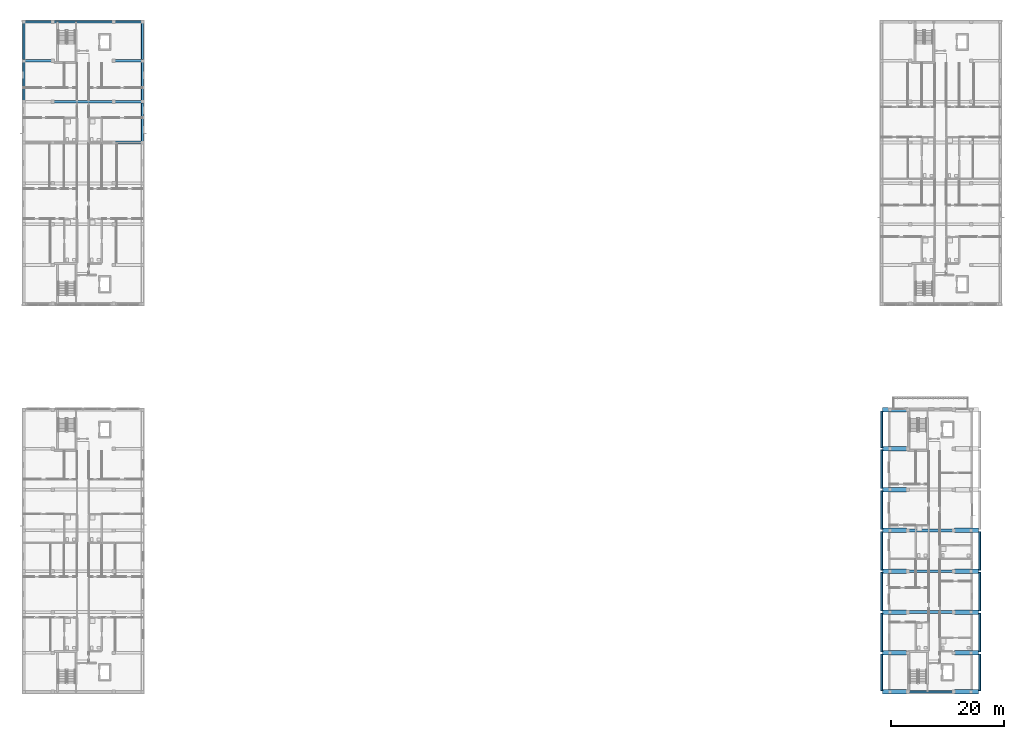
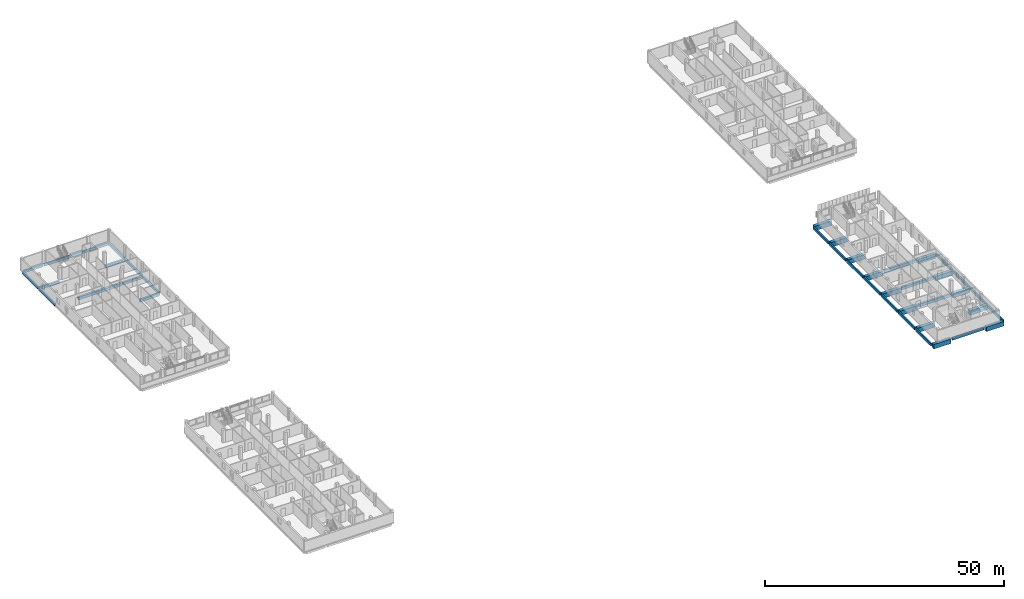
# One storey, part 6 of 38: 41 beams.
"""IFC4 building model written with IfcOpenShell, lengths in metres."""

import ifcopenshell
import ifcopenshell.guid

model = None  # the IFC model being written
_history = None  # IfcOwnerHistory: only IFC2X3 demands one
_inside = {}  # id of a spatial element -> (the spatial element, [elements in it])
_under = {}  # id of a project, library or spatial element -> (it, [spatial elements below it])
_declared = {}  # id of a project -> (the project, [libraries it declares])
_typed = {}  # id of a type object -> (the type object, [elements of that type])
_made_of = {}  # id of a material, layer set ... -> (it, [elements and type objects made of it])


def new_model(schema):
    """Start an empty IFC model of exactly this schema.

    Asked for "IFC4X3", IfcOpenShell would pick the latest addendum, in which some entities
    have other attributes; the version numbers below select the first issue.
    IFC2X3 requires an IfcOwnerHistory on every rooted entity: one is made here for all.
    """
    global model, _history
    if schema == "IFC4X3":
        model = ifcopenshell.file(schema_version=(4, 3, 0, 0))
    else:
        model = ifcopenshell.file(schema=schema)
    _inside.clear()
    _under.clear()
    _declared.clear()
    _typed.clear()
    _made_of.clear()
    _history = None
    if model.schema == "IFC2X3":
        org = make("IfcOrganization", Name="unknown")
        user = make(
            "IfcPersonAndOrganization",
            ThePerson=make("IfcPerson", FamilyName="unknown"),
            TheOrganization=org,
        )
        app = make(
            "IfcApplication",
            ApplicationDeveloper=org,
            Version="unknown",
            ApplicationFullName="unknown",
            ApplicationIdentifier="unknown",
        )
        _history = make(
            "IfcOwnerHistory",
            OwningUser=user,
            OwningApplication=app,
            ChangeAction="ADDED",
            CreationDate=0,
        )
    return model


def make(cls, **values):
    """One entity of the class cls with the attributes given. An attribute that is None is left unset."""
    return model.create_entity(
        cls, **{name: value for name, value in values.items() if value is not None}
    )


def rooted(cls, **values):
    """An entity with a GlobalId (a new one), such as an element, a storey or a relation."""
    return make(cls, GlobalId=ifcopenshell.guid.new(), OwnerHistory=_history, **values)


def si_unit(unit_type, name, prefix=None):
    """IfcSIUnit, for example si_unit("LENGTHUNIT", "METRE", prefix="MILLI")."""
    return make("IfcSIUnit", UnitType=unit_type, Prefix=prefix, Name=name)


def derived_unit(unit_type, elements):
    """IfcDerivedUnit: a product of units, each with its exponent."""
    return make(
        "IfcDerivedUnit",
        Elements=[
            make("IfcDerivedUnitElement", Unit=unit, Exponent=power)
            for unit, power in elements
        ],
        UnitType=unit_type,
    )


def assignment(units):
    """IfcUnitAssignment: the units of a project."""
    return None if units is None else make("IfcUnitAssignment", Units=units)


def point(xyz):
    """IfcCartesianPoint."""
    return None if xyz is None else make("IfcCartesianPoint", Coordinates=xyz)


def direction(xyz):
    """IfcDirection."""
    return None if xyz is None else make("IfcDirection", DirectionRatios=xyz)


def frame(location, z_axis=None, x_axis=None):
    """IfcAxis2Placement3D, a coordinate frame: its origin and axes. An axis left out is left unset."""
    return make(
        "IfcAxis2Placement3D",
        Location=point(location),
        Axis=direction(z_axis),
        RefDirection=direction(x_axis),
    )


def frame_2d(location, x_axis=None):
    """IfcAxis2Placement2D, a coordinate frame in the plane: its origin and x axis."""
    return make(
        "IfcAxis2Placement2D", Location=point(location), RefDirection=direction(x_axis)
    )


def origin():
    """The frame at (0, 0, 0) with its axes left unset."""
    return frame((0.0, 0.0, 0.0))


def origin_2d():
    """The frame at (0, 0) in the plane with its x axis left unset."""
    return frame_2d((0.0, 0.0))


def place(relative_to, where):
    """IfcLocalPlacement: puts the frame where relative to a parent placement (None: the world)."""
    return make(
        "IfcLocalPlacement", PlacementRelTo=relative_to, RelativePlacement=where
    )


def context(
    kind, dimensions, precision=None, world=None, true_north=None, identifier=None
):
    """IfcGeometricRepresentationContext, for example the 3D "Model" context."""
    return make(
        "IfcGeometricRepresentationContext",
        ContextIdentifier=identifier,
        ContextType=kind,
        CoordinateSpaceDimension=dimensions,
        Precision=precision,
        WorldCoordinateSystem=world,
        TrueNorth=true_north,
    )


def subcontext(parent, identifier, kind, view, scale=None):
    """IfcGeometricRepresentationSubContext, for example "Body" below "Model"."""
    return make(
        "IfcGeometricRepresentationSubContext",
        ContextIdentifier=identifier,
        ContextType=kind,
        ParentContext=parent,
        TargetScale=scale,
        TargetView=view,
    )


def project(units=None, contexts=None):
    """IfcProject with its units and contexts."""
    return rooted(
        "IfcProject",
        Name="project",
        RepresentationContexts=contexts,
        UnitsInContext=assignment(units),
    )


def spatial(cls, under=None, at=None, **own):
    """A site, building, storey or space (cls), placed at a placement, below another one or the project."""
    s = rooted(cls, ObjectPlacement=at, **own)
    if under is not None:
        _under.setdefault(under.id(), (under, []))[1].append(s)
    return s


def profile(cls, at=None, kind="AREA", **sizes):
    """A parametric profile (cls). Its sizes go by their IFC names, for example OverallWidth=200.0."""
    return make(cls, ProfileType=kind, Position=at, **sizes)


def rectangle(**sizes):
    """IfcRectangleProfileDef."""
    return profile("IfcRectangleProfileDef", **sizes)


def extrude(swept, where, along, depth):
    """IfcExtrudedAreaSolid: the profile swept, set in the frame where, extruded along a direction by depth."""
    return make(
        "IfcExtrudedAreaSolid",
        SweptArea=swept,
        Position=where,
        ExtrudedDirection=direction(along),
        Depth=depth,
    )


def shape(context_of_items, identifier, shape_type, items):
    """IfcShapeRepresentation: the items that make up one representation, for example the "Body"."""
    return make(
        "IfcShapeRepresentation",
        ContextOfItems=context_of_items,
        RepresentationIdentifier=identifier,
        RepresentationType=shape_type,
        Items=items,
    )


def material(Name=None, Category=None):
    """IfcMaterial."""
    return make("IfcMaterial", Name=Name, Category=Category)


def material_profile(
    of_material, cross_section, Name=None, Category=None, Priority=None
):
    """IfcMaterialProfile: a cross section and its material."""
    return make(
        "IfcMaterialProfile",
        Name=Name,
        Material=of_material,
        Profile=cross_section,
        Priority=Priority,
        Category=Category,
    )


def profile_set(profiles, Name=None, composite=None):
    """IfcMaterialProfileSet."""
    return make(
        "IfcMaterialProfileSet",
        Name=Name,
        MaterialProfiles=profiles,
        CompositeProfile=composite,
    )


def made_of(thing, what):
    """Note that an element or type object is made of a material, layer set ...; save() writes the relation."""
    if what is not None:
        _made_of.setdefault(what.id(), (what, []))[1].append(thing)
    return thing


def type_object(cls, material=None, **own):
    """A type object (cls), such as IfcWallType, which elements share."""
    return made_of(rooted(cls, **own), material)


def element(
    cls,
    number,
    at=None,
    inside=None,
    cuts=None,
    type_object=None,
    material=None,
    context=None,
    identifier="Body",
    shape_type=None,
    held_by="IfcProductDefinitionShape",
    body=None,
    shapes=None,
    **own,
):
    """One element of the class cls, such as IfcWall. Its Tag is "e" and its number.

    at: its placement. inside: the storey or other place that contains it. cuts: it is an
    opening in that element (IfcRelVoidsElement). A single representation is given by context,
    identifier, shape_type and body (its items); several are given by shapes. held_by: the class
    of the entity that holds the representations. save() writes the other relations.
    """
    e = rooted(cls, Tag="e%d" % number, ObjectPlacement=at, **own)
    if body is not None:
        shapes = [shape(context, identifier, shape_type, body)]
    if shapes is not None:
        e.Representation = make(held_by, Representations=shapes)
    if inside is not None:
        _inside.setdefault(inside.id(), (inside, []))[1].append(e)
    if cuts is not None:
        rooted(
            "IfcRelVoidsElement", RelatingBuildingElement=cuts, RelatedOpeningElement=e
        )
    if type_object is not None:
        _typed.setdefault(type_object.id(), (type_object, []))[1].append(e)
    return made_of(e, material)


def aggregate(whole, parts):
    """IfcRelAggregates: a whole, such as a stair, and the parts it consists of."""
    return rooted("IfcRelAggregates", RelatingObject=whole, RelatedObjects=parts)


def save(model, path):
    """Write the relations noted so far, then the file.

    IfcRelAggregates (storeys below a building ...), IfcRelContainedInSpatialStructure (elements
    in a storey), IfcRelDefinesByType, IfcRelAssociatesMaterial and IfcRelDeclares: one each for
    every whole, place, type object, material and project.
    """
    for whole, parts in _under.values():
        aggregate(whole, parts)
    for where, things in _inside.values():
        rooted(
            "IfcRelContainedInSpatialStructure",
            RelatedElements=things,
            RelatingStructure=where,
        )
    for kind, things in _typed.values():
        rooted("IfcRelDefinesByType", RelatedObjects=things, RelatingType=kind)
    for what, things in _made_of.values():
        rooted("IfcRelAssociatesMaterial", RelatedObjects=things, RelatingMaterial=what)
    for by, libraries in _declared.values():
        rooted("IfcRelDeclares", RelatingContext=by, RelatedDefinitions=libraries)
    model.write(path)


model = new_model("IFC4")

# Units and contexts
model_context = context("Model", 3, precision=1e-05, world=origin(), true_north=direction((0.0, 1.0)))
body_context = subcontext(model_context, "Body", "Model", "MODEL_VIEW")
ifc_project = project(units=[si_unit("LENGTHUNIT", "METRE"), si_unit("AREAUNIT", "SQUARE_METRE"), si_unit("VOLUMEUNIT", "CUBIC_METRE"), si_unit("PLANEANGLEUNIT", "RADIAN"), si_unit("MASSUNIT", "GRAM", prefix="KILO"), derived_unit("THERMALTRANSMITTANCEUNIT", [(si_unit("MASSUNIT", "GRAM", prefix="KILO"), 1), (si_unit("TIMEUNIT", "SECOND"), -3), (si_unit("THERMODYNAMICTEMPERATUREUNIT", "KELVIN"), -1)])], contexts=[model_context])

# Site, building, storey
site_placement = place(None, origin())
site = spatial("IfcSite", under=ifc_project, at=site_placement, CompositionType="ELEMENT")
building_placement = place(site_placement, origin())
building = spatial("IfcBuilding", under=site, at=building_placement, Name="Ochrekiln Boulevard Commons", CompositionType="ELEMENT")
storey_placement = place(building_placement, frame((0.0, 0.0, 24.675048828125)))
storey = spatial("IfcBuildingStorey", under=building, at=storey_placement, Name="L07", CompositionType="ELEMENT", Elevation=24.675048828125)

# Beams
ifc_material_1 = material(Name="Concrete C35/45", Category="concrete")
ifc_material_profile_1 = material_profile(ifc_material_1, rectangle(XDim=0.449951171875, YDim=0.64990234375, at=origin_2d()), Name="RC-BM-450x650")
ifc_profile_set_1 = profile_set([ifc_material_profile_1], Name="Concrete C35/45")
beam_type_1 = type_object("IfcBeamType", Name="BM-RC-450x650", PredefinedType="BEAM", material=ifc_profile_set_1)
for number, where, z_axis, x_axis, name in (
    (1, (16.409912109375, 97.199951171875, -0.5849609375), (1.0, 0.0, 0.0), (0.0, 1.0, 0.0), "Block A L07 Beam B-4565 X14"),
    (2, (16.409912109375, 104.39990234375, -0.5849609375), (1.0, 0.0, 0.0), (0.0, 1.0, 0.0), "Block A L07 Beam B-4565 X17"),
):
    element("IfcBeam", number, at=place(storey_placement, frame(where, z_axis=z_axis, x_axis=x_axis)), inside=storey, type_object=beam_type_1, Name=name, PredefinedType="BEAM", context=body_context, shape_type="SweptSolid", body=[
        extrude(rectangle(XDim=0.449951171875, YDim=0.64990234375, at=origin_2d()), origin(), (0.0, 0.0, 1.0), 4.630126953125),
    ])
beam_1_placement = place(storey_placement, frame((0.56005859375, 111.60009765625, -0.5849609375), z_axis=(1.0, 0.0, 0.0), x_axis=(0.0, 1.0, 0.0)))
element("IfcBeam", 3, at=beam_1_placement, inside=storey, type_object=beam_type_1, Name="Block A L07 Beam B-4565 X18", PredefinedType="BEAM", context=body_context, shape_type="SweptSolid", body=[
    extrude(rectangle(XDim=0.449951171875, YDim=0.64990234375, at=origin_2d()), origin(), (0.0, 0.0, 1.0), 4.6298828125),
])
beam_2_placement = place(storey_placement, frame((16.409912109375, 111.60009765625, -0.5849609375), z_axis=(1.0, 0.0, 0.0), x_axis=(0.0, 1.0, 0.0)))
element("IfcBeam", 4, at=beam_2_placement, inside=storey, type_object=beam_type_1, Name="Block A L07 Beam B-4565 X19", PredefinedType="BEAM", context=body_context, shape_type="SweptSolid", body=[
    extrude(rectangle(XDim=0.449951171875, YDim=0.64990234375, at=origin_2d()), origin(), (0.0, 0.0, 1.0), 4.630126953125),
])
ifc_material_2 = material(Name="Concrete C40/50", Category="concrete")
ifc_material_profile_2 = material_profile(ifc_material_2, rectangle(XDim=0.5, YDim=0.699951171875, at=origin_2d()), Name="RC-BM-500x700")
ifc_profile_set_2 = profile_set([ifc_material_profile_2], Name="Concrete C40/50")
beam_type_2 = type_object("IfcBeamType", Name="BM-RC-500x700", PredefinedType="BEAM", material=ifc_profile_set_2)
beam_3_placement = place(storey_placement, frame((5.610107421875, 104.39990234375, -0.610107421875), z_axis=(1.0, 0.0, 0.0), x_axis=(0.0, 1.0, 0.0)))
element("IfcBeam", 5, at=beam_3_placement, inside=storey, type_object=beam_type_2, Name="Block A L07 Beam B-5070 X16", PredefinedType="BEAM", context=body_context, shape_type="SweptSolid", body=[
    extrude(rectangle(XDim=0.5, YDim=0.699951171875, at=origin_2d()), origin(), (0.0, 0.0, 1.0), 10.3798828125),
])
for number, where, z_axis, x_axis, name in (
    (6, (156.360107421875, 14.39990234375, -0.610107421875), (1.0, 0.0, 0.0), (0.0, 1.0, 0.0), "Block C L07 Beam B-5070 X7"),
    (7, (156.360107421875, 21.60009765625, -0.610107421875), (1.0, 0.0, 0.0), (0.0, 1.0, 0.0), "Block C L07 Beam B-5070 X10"),
    (8, (156.360107421875, 28.800048828125, -0.610107421875), (1.0, 0.0, 0.0), (0.0, 1.0, 0.0), "Block C L07 Beam B-5070 X13"),
):
    element("IfcBeam", number, at=place(storey_placement, frame(where, z_axis=z_axis, x_axis=x_axis)), inside=storey, type_object=beam_type_2, Name=name, PredefinedType="BEAM", context=body_context, shape_type="SweptSolid", body=[
        extrude(rectangle(XDim=0.5, YDim=0.699951171875, at=origin_2d()), origin(), (0.0, 0.0, 1.0), 7.679931640625),
    ])
ifc_material_profile_3 = material_profile(ifc_material_2, rectangle(XDim=0.800048828125, YDim=1.14990234375, at=origin_2d()), Name="RC-TRG-800x1150")
ifc_profile_set_3 = profile_set([ifc_material_profile_3], Name="Concrete C40/50")
beam_type_3 = type_object("IfcBeamType", Name="BM-TRG-800x1150", PredefinedType="BEAM", material=ifc_profile_set_3)
for number, where, z_axis, x_axis, name in (
    (9, (151.760009765625, 0.35009765625, -0.8349609375), (1.0, 0.0, 0.0), (0.0, 1.0, 0.0), "Block C L07 Beam TG-01 X1"),
    (10, (164.4599609375, 0.35009765625, -0.8349609375), (1.0, 0.0, 0.0), (0.0, 1.0, 0.0), "Block C L07 Beam TG-01 X3"),
    (11, (151.760009765625, 7.199951171875, -0.8349609375), (1.0, 0.0, 0.0), (0.0, 1.0, 0.0), "Block C L07 Beam TG-01 X4"),
    (12, (164.4599609375, 7.199951171875, -0.8349609375), (1.0, 0.0, 0.0), (0.0, 1.0, 0.0), "Block C L07 Beam TG-01 X5"),
    (13, (151.760009765625, 14.39990234375, -0.8349609375), (1.0, 0.0, 0.0), (0.0, 1.0, 0.0), "Block C L07 Beam TG-01 X6"),
    (14, (164.4599609375, 14.39990234375, -0.8349609375), (1.0, 0.0, 0.0), (0.0, 1.0, 0.0), "Block C L07 Beam TG-01 X8"),
    (15, (151.760009765625, 21.60009765625, -0.8349609375), (1.0, 0.0, 0.0), (0.0, 1.0, 0.0), "Block C L07 Beam TG-01 X9"),
    (16, (164.4599609375, 21.60009765625, -0.8349609375), (1.0, 0.0, 0.0), (0.0, 1.0, 0.0), "Block C L07 Beam TG-01 X11"),
    (17, (151.760009765625, 28.800048828125, -0.8349609375), (1.0, 0.0, 0.0), (0.0, 1.0, 0.0), "Block C L07 Beam TG-01 X12"),
    (18, (164.4599609375, 28.800048828125, -0.8349609375), (1.0, 0.0, 0.0), (0.0, 1.0, 0.0), "Block C L07 Beam TG-01 X14"),
    (19, (151.760009765625, 36.0, -0.8349609375), (1.0, 0.0, 0.0), (0.0, 1.0, 0.0), "Block C L07 Beam TG-01 X15"),
    (20, (151.760009765625, 43.199951171875, -0.8349609375), (1.0, 0.0, 0.0), (0.0, 1.0, 0.0), "Block C L07 Beam TG-01 X18"),
    (21, (151.760009765625, 50.050048828125, -0.8349609375), (1.0, 0.0, 0.0), (0.0, 1.0, 0.0), "Block C L07 Beam TG-01 X20"),
):
    element("IfcBeam", number, at=place(storey_placement, frame(where, z_axis=z_axis, x_axis=x_axis)), inside=storey, type_object=beam_type_3, Name=name, PredefinedType="BEAM", context=body_context, shape_type="SweptSolid", body=[
        extrude(rectangle(XDim=0.800048828125, YDim=1.14990234375, at=origin_2d()), origin(), (0.0, 0.0, 1.0), 4.179931640625),
    ])
ifc_material_profile_4 = material_profile(ifc_material_2, rectangle(XDim=0.35009765625, YDim=0.64990234375, at=origin_2d()), Name="RC-SPN-350x650")
ifc_profile_set_4 = profile_set([ifc_material_profile_4], Name="Concrete C40/50")
beam_type_4 = type_object("IfcBeamType", Name="SPN-RC-350x650", PredefinedType="SPANDREL", material=ifc_profile_set_4)
beam_4_placement = place(storey_placement, frame((0.56005859375, 118.449951171875, -0.5849609375), z_axis=(1.0, 0.0, 0.0), x_axis=(0.0, 1.0, 0.0)))
element("IfcBeam", 22, at=beam_4_placement, inside=storey, type_object=beam_type_4, Name="Block A L07 Beam SP-3565 X20", PredefinedType="SPANDREL", context=body_context, shape_type="SweptSolid", body=[
    extrude(rectangle(XDim=0.35009765625, YDim=0.64990234375, at=origin_2d()), origin(), (0.0, 0.0, 1.0), 4.6298828125),
])
beam_5_placement = place(storey_placement, frame((5.610107421875, 118.449951171875, -0.5849609375), z_axis=(1.0, 0.0, 0.0), x_axis=(0.0, 1.0, 0.0)))
element("IfcBeam", 23, at=beam_5_placement, inside=storey, type_object=beam_type_4, Name="Block A L07 Beam SP-3565 X21", PredefinedType="SPANDREL", context=body_context, shape_type="SweptSolid", body=[
    extrude(rectangle(XDim=0.35009765625, YDim=0.64990234375, at=origin_2d()), origin(), (0.0, 0.0, 1.0), 10.3798828125),
])
beam_6_placement = place(storey_placement, frame((16.409912109375, 118.449951171875, -0.5849609375), z_axis=(1.0, 0.0, 0.0), x_axis=(0.0, 1.0, 0.0)))
element("IfcBeam", 24, at=beam_6_placement, inside=storey, type_object=beam_type_4, Name="Block A L07 Beam SP-3565 X22", PredefinedType="SPANDREL", context=body_context, shape_type="SweptSolid", body=[
    extrude(rectangle(XDim=0.35009765625, YDim=0.64990234375, at=origin_2d()), origin(), (0.0, 0.0, 1.0), 4.630126953125),
])
beam_7_placement = place(storey_placement, frame((0.35009765625, 104.610107421875, -0.5849609375), z_axis=(0.0, 1.0, 0.0), x_axis=(-1.0, 0.0, 0.0)))
element("IfcBeam", 25, at=beam_7_placement, inside=storey, type_object=beam_type_4, Name="Block A L07 Beam SP-3565 Y28", PredefinedType="SPANDREL", context=body_context, shape_type="SweptSolid", body=[
    extrude(rectangle(XDim=0.35009765625, YDim=0.64990234375, at=origin_2d()), origin(), (0.0, 0.0, 1.0), 6.77978515625),
])
beam_8_placement = place(storey_placement, frame((0.35009765625, 111.81005859375, -0.5849609375), z_axis=(0.0, 1.0, 0.0), x_axis=(-1.0, 0.0, 0.0)))
element("IfcBeam", 26, at=beam_8_placement, inside=storey, type_object=beam_type_4, Name="Block A L07 Beam SP-3565 Y29", PredefinedType="SPANDREL", context=body_context, shape_type="SweptSolid", body=[
    extrude(rectangle(XDim=0.35009765625, YDim=0.64990234375, at=origin_2d()), origin(), (0.0, 0.0, 1.0), 6.429931640625),
])
beam_9_placement = place(storey_placement, frame((21.25, 97.409912109375, -0.5849609375), z_axis=(0.0, 1.0, 0.0), x_axis=(-1.0, 0.0, 0.0)))
element("IfcBeam", 27, at=beam_9_placement, inside=storey, type_object=beam_type_4, Name="Block A L07 Beam SP-3565 Y34", PredefinedType="SPANDREL", context=body_context, shape_type="SweptSolid", body=[
    extrude(rectangle(XDim=0.35009765625, YDim=0.64990234375, at=origin_2d()), origin(), (0.0, 0.0, 1.0), 6.780029296875),
])
beam_10_placement = place(storey_placement, frame((21.25, 104.610107421875, -0.5849609375), z_axis=(0.0, 1.0, 0.0), x_axis=(-1.0, 0.0, 0.0)))
element("IfcBeam", 28, at=beam_10_placement, inside=storey, type_object=beam_type_4, Name="Block A L07 Beam SP-3565 Y35", PredefinedType="SPANDREL", context=body_context, shape_type="SweptSolid", body=[
    extrude(rectangle(XDim=0.35009765625, YDim=0.64990234375, at=origin_2d()), origin(), (0.0, 0.0, 1.0), 6.77978515625),
])
beam_11_placement = place(storey_placement, frame((21.25, 111.81005859375, -0.5849609375), z_axis=(0.0, 1.0, 0.0), x_axis=(-1.0, 0.0, 0.0)))
element("IfcBeam", 29, at=beam_11_placement, inside=storey, type_object=beam_type_4, Name="Block A L07 Beam SP-3565 Y36", PredefinedType="SPANDREL", context=body_context, shape_type="SweptSolid", body=[
    extrude(rectangle(XDim=0.35009765625, YDim=0.64990234375, at=origin_2d()), origin(), (0.0, 0.0, 1.0), 6.429931640625),
])
beam_12_placement = place(storey_placement, frame((156.360107421875, 0.35009765625, -0.5849609375), z_axis=(1.0, 0.0, 0.0), x_axis=(0.0, 1.0, 0.0)))
element("IfcBeam", 30, at=beam_12_placement, inside=storey, type_object=beam_type_4, Name="Block C L07 Beam SP-3565 X2", PredefinedType="SPANDREL", context=body_context, shape_type="SweptSolid", body=[
    extrude(rectangle(XDim=0.35009765625, YDim=0.64990234375, at=origin_2d()), origin(), (0.0, 0.0, 1.0), 7.679931640625),
])
beam_13_placement = place(storey_placement, frame((151.550048828125, 0.56005859375, -0.5849609375), z_axis=(0.0, 1.0, 0.0), x_axis=(-1.0, 0.0, 0.0)))
element("IfcBeam", 31, at=beam_13_placement, inside=storey, type_object=beam_type_4, Name="Block C L07 Beam SP-3565 Y23", PredefinedType="SPANDREL", context=body_context, shape_type="SweptSolid", body=[
    extrude(rectangle(XDim=0.35009765625, YDim=0.64990234375, at=origin_2d()), origin(), (0.0, 0.0, 1.0), 6.429931640625),
])
beam_14_placement = place(storey_placement, frame((151.550048828125, 7.409912109375, -0.5849609375), z_axis=(0.0, 1.0, 0.0), x_axis=(-1.0, 0.0, 0.0)))
element("IfcBeam", 32, at=beam_14_placement, inside=storey, type_object=beam_type_4, Name="Block C L07 Beam SP-3565 Y24", PredefinedType="SPANDREL", context=body_context, shape_type="SweptSolid", body=[
    extrude(rectangle(XDim=0.35009765625, YDim=0.64990234375, at=origin_2d()), origin(), (0.0, 0.0, 1.0), 6.780029296875),
])
beam_15_placement = place(storey_placement, frame((151.550048828125, 14.610107421875, -0.5849609375), z_axis=(0.0, 1.0, 0.0), x_axis=(-1.0, 0.0, 0.0)))
element("IfcBeam", 33, at=beam_15_placement, inside=storey, type_object=beam_type_4, Name="Block C L07 Beam SP-3565 Y25", PredefinedType="SPANDREL", context=body_context, shape_type="SweptSolid", body=[
    extrude(rectangle(XDim=0.35009765625, YDim=0.64990234375, at=origin_2d()), origin(), (0.0, 0.0, 1.0), 6.77978515625),
])
for number, where, z_axis, x_axis, name in (
    (34, (151.550048828125, 21.81005859375, -0.5849609375), (0.0, 1.0, 0.0), (-1.0, 0.0, 0.0), "Block C L07 Beam SP-3565 Y26"),
    (35, (151.550048828125, 29.010009765625, -0.5849609375), (0.0, 1.0, 0.0), (-1.0, 0.0, 0.0), "Block C L07 Beam SP-3565 Y27"),
    (36, (151.550048828125, 36.2099609375, -0.5849609375), (0.0, 1.0, 0.0), (-1.0, 0.0, 0.0), "Block C L07 Beam SP-3565 Y28"),
):
    element("IfcBeam", number, at=place(storey_placement, frame(where, z_axis=z_axis, x_axis=x_axis)), inside=storey, type_object=beam_type_4, Name=name, PredefinedType="SPANDREL", context=body_context, shape_type="SweptSolid", body=[
        extrude(rectangle(XDim=0.35009765625, YDim=0.64990234375, at=origin_2d()), origin(), (0.0, 0.0, 1.0), 6.780029296875),
    ])
beam_16_placement = place(storey_placement, frame((151.550048828125, 43.409912109375, -0.5849609375), z_axis=(0.0, 1.0, 0.0), x_axis=(-1.0, 0.0, 0.0)))
element("IfcBeam", 37, at=beam_16_placement, inside=storey, type_object=beam_type_4, Name="Block C L07 Beam SP-3565 Y29", PredefinedType="SPANDREL", context=body_context, shape_type="SweptSolid", body=[
    extrude(rectangle(XDim=0.35009765625, YDim=0.64990234375, at=origin_2d()), origin(), (0.0, 0.0, 1.0), 6.43017578125),
])
beam_17_placement = place(storey_placement, frame((168.85009765625, 0.56005859375, -0.5849609375), z_axis=(0.0, 1.0, 0.0), x_axis=(-1.0, 0.0, 0.0)))
element("IfcBeam", 38, at=beam_17_placement, inside=storey, type_object=beam_type_4, Name="Block C L07 Beam SP-3565 Y30", PredefinedType="SPANDREL", context=body_context, shape_type="SweptSolid", body=[
    extrude(rectangle(XDim=0.35009765625, YDim=0.64990234375, at=origin_2d()), origin(), (0.0, 0.0, 1.0), 6.429931640625),
])
beam_18_placement = place(storey_placement, frame((168.85009765625, 7.409912109375, -0.5849609375), z_axis=(0.0, 1.0, 0.0), x_axis=(-1.0, 0.0, 0.0)))
element("IfcBeam", 39, at=beam_18_placement, inside=storey, type_object=beam_type_4, Name="Block C L07 Beam SP-3565 Y31", PredefinedType="SPANDREL", context=body_context, shape_type="SweptSolid", body=[
    extrude(rectangle(XDim=0.35009765625, YDim=0.64990234375, at=origin_2d()), origin(), (0.0, 0.0, 1.0), 6.780029296875),
])
beam_19_placement = place(storey_placement, frame((168.85009765625, 14.610107421875, -0.5849609375), z_axis=(0.0, 1.0, 0.0), x_axis=(-1.0, 0.0, 0.0)))
element("IfcBeam", 40, at=beam_19_placement, inside=storey, type_object=beam_type_4, Name="Block C L07 Beam SP-3565 Y32", PredefinedType="SPANDREL", context=body_context, shape_type="SweptSolid", body=[
    extrude(rectangle(XDim=0.35009765625, YDim=0.64990234375, at=origin_2d()), origin(), (0.0, 0.0, 1.0), 6.77978515625),
])
beam_20_placement = place(storey_placement, frame((168.85009765625, 21.81005859375, -0.5849609375), z_axis=(0.0, 1.0, 0.0), x_axis=(-1.0, 0.0, 0.0)))
element("IfcBeam", 41, at=beam_20_placement, inside=storey, type_object=beam_type_4, Name="Block C L07 Beam SP-3565 Y33", PredefinedType="SPANDREL", context=body_context, shape_type="SweptSolid", body=[
    extrude(rectangle(XDim=0.35009765625, YDim=0.64990234375, at=origin_2d()), origin(), (0.0, 0.0, 1.0), 6.780029296875),
])

save(model, "model.ifc")
